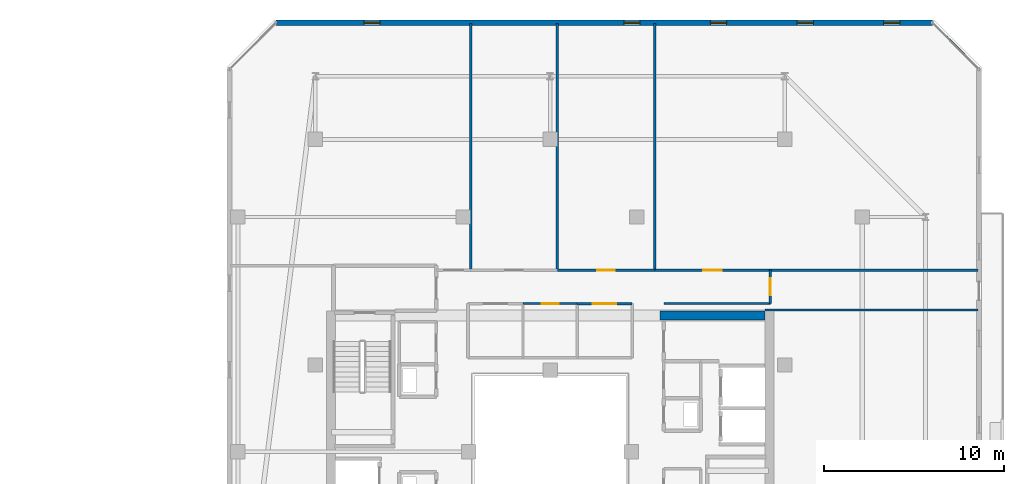
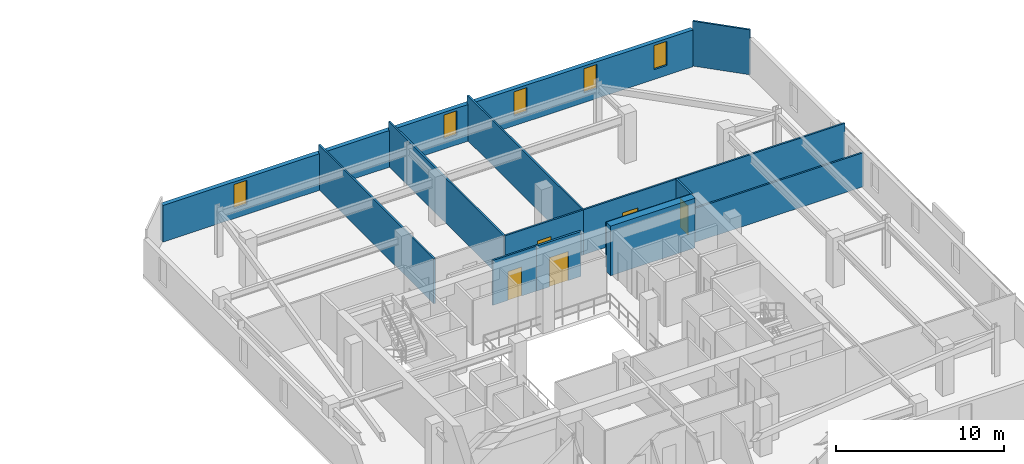
# One storey, part 28 of 35: 14 walls, 5 doors, 5 windows, 10 openings.
"""IFC4 building model written with IfcOpenShell, lengths in metres."""

from ifc_helpers import new_model, si_unit, direction, frame, frame_2d, origin, place, context, subcontext, project, spatial, rectangle, extrude, material, layer, layer_set, type_object, element, fill, save


model = new_model("IFC4")

# Units and contexts
model_context = context("Model", 3, precision=1e-05, world=origin(), true_north=direction((0.0, 1.0)))
body_context = subcontext(model_context, "Body", "Model", "MODEL_VIEW")
ifc_project = project(units=[si_unit("LENGTHUNIT", "METRE"), si_unit("AREAUNIT", "SQUARE_METRE"), si_unit("VOLUMEUNIT", "CUBIC_METRE"), si_unit("PLANEANGLEUNIT", "RADIAN"), si_unit("MASSUNIT", "GRAM", prefix="KILO")], contexts=[model_context])

# Site, building, storey
site_placement = place(None, origin())
site = spatial("IfcSite", under=ifc_project, at=site_placement, CompositionType="ELEMENT")
building_placement = place(site_placement, origin())
building = spatial("IfcBuilding", under=site, at=building_placement, Name="Thornwick Lancets Civic Towers", CompositionType="ELEMENT")
storey_placement = place(building_placement, frame((0.0, 0.0, 276.300048828125)))
storey = spatial("IfcBuildingStorey", under=building, at=storey_placement, Name="L74", CompositionType="ELEMENT", Elevation=276.300048828125)

# Wall
ifc_material_1 = material(Name="Concrete C50/60", Category="concrete")
ifc_layer_1 = layer(ifc_material_1, 0.5, Name="Concrete C50/60")
ifc_layer_set_1 = layer_set([ifc_layer_1], Name="Concrete C50/60")
wall_type_1 = type_object("IfcWallType", Name="WALL_CORE_500", PredefinedType="SHEAR", material=ifc_layer_set_1)
wall_1_placement = place(storey_placement, frame((94.60009765625, 34.550048828125, 0.0), z_axis=(0.0, 0.0, 1.0), x_axis=(1.0, 0.0, 0.0)))
element("IfcWall", 1, at=wall_1_placement, inside=storey, type_object=wall_type_1, Name="L74 Split Core B1 Shear Wall N", PredefinedType="SHEAR", context=body_context, shape_type="SweptSolid", body=[
    extrude(rectangle(XDim=5.7998046875, YDim=0.5, at=frame_2d((2.89990234375, 0.0))), origin(), (0.0, 0.0, 1.0), 3.599853515625),
])

# Wall, openings, windows
ifc_material_2 = material(Name="Insulated russet terracotta rainscreen on concrete C40/50", Category="masonry")
ifc_layer_2 = layer(ifc_material_2, 0.300048828125, Name="Insulated russet terracotta rainscreen on concrete C40/50")
ifc_layer_set_2 = layer_set([ifc_layer_2], Name="Insulated russet terracotta rainscreen on concrete C40/50")
wall_type_2 = type_object("IfcWallType", Name="WALL_EXT_RUSSET_300", PredefinedType="STANDARD", material=ifc_layer_set_2)
wall_2_placement = place(storey_placement, frame((109.681396484375, 50.7646484375, 0.0), z_axis=(0.0, 0.0, 1.0), x_axis=(-1.0, 0.0, 0.0)))
wall_2 = element("IfcWall", 2, at=wall_2_placement, inside=storey, type_object=wall_type_2, Name="L74 Tower B Terracotta Facade Wall E4", PredefinedType="STANDARD", context=body_context, shape_type="SweptSolid", body=[
    extrude(rectangle(XDim=36.36279296875, YDim=0.300048828125, at=frame_2d((18.181396484375, 0.0))), origin(), (0.0, 0.0, 1.0), 2.659912109375),
])
opening_1_placement = place(wall_2_placement, frame((1.800048828125, 0.0, 0.719970703125)))
opening_1 = element("IfcOpeningElement", 3, at=opening_1_placement, cuts=wall_2, Name="Opening WL-01", PredefinedType="OPENING", context=body_context, shape_type="SweptSolid", body=[
    extrude(rectangle(XDim=0.89990234375, YDim=1.75, at=frame_2d((0.449951171875, 0.875))), frame((0.0, 0.16015625, 0.0), z_axis=(0.0, -1.0, 0.0), x_axis=(1.0, 0.0, 0.0)), (0.0, 0.0, 1.0), 0.320068359375),
])
opening_2_placement = place(wall_2_placement, frame((6.60009765625, 0.0, 0.719970703125)))
opening_2 = element("IfcOpeningElement", 4, at=opening_2_placement, cuts=wall_2, Name="Opening WL-01", PredefinedType="OPENING", context=body_context, shape_type="SweptSolid", body=[
    extrude(rectangle(XDim=0.89990234375, YDim=1.75, at=frame_2d((0.449951171875, 0.875))), frame((0.0, 0.16015625, 0.0), z_axis=(0.0, -1.0, 0.0), x_axis=(1.0, 0.0, 0.0)), (0.0, 0.0, 1.0), 0.320068359375),
])
opening_3_placement = place(wall_2_placement, frame((11.39990234375, 0.0, 0.719970703125)))
opening_3 = element("IfcOpeningElement", 5, at=opening_3_placement, cuts=wall_2, Name="Opening WL-01", PredefinedType="OPENING", context=body_context, shape_type="SweptSolid", body=[
    extrude(rectangle(XDim=0.89990234375, YDim=1.75, at=frame_2d((0.449951171875, 0.875))), frame((0.0, 0.16015625, 0.0), z_axis=(0.0, -1.0, 0.0), x_axis=(1.0, 0.0, 0.0)), (0.0, 0.0, 1.0), 0.320068359375),
])
opening_4_placement = place(wall_2_placement, frame((16.199951171875, 0.0, 0.719970703125)))
opening_4 = element("IfcOpeningElement", 6, at=opening_4_placement, cuts=wall_2, Name="Opening WL-01", PredefinedType="OPENING", context=body_context, shape_type="SweptSolid", body=[
    extrude(rectangle(XDim=0.89990234375, YDim=1.75, at=frame_2d((0.449951171875, 0.875))), frame((0.0, 0.16015625, 0.0), z_axis=(0.0, -1.0, 0.0), x_axis=(1.0, 0.0, 0.0)), (0.0, 0.0, 1.0), 0.320068359375),
])
opening_5_placement = place(wall_2_placement, frame((30.60009765625, 0.0, 0.719970703125)))
opening_5 = element("IfcOpeningElement", 7, at=opening_5_placement, cuts=wall_2, Name="Opening WL-01", PredefinedType="OPENING", context=body_context, shape_type="SweptSolid", body=[
    extrude(rectangle(XDim=0.89990234375, YDim=1.75, at=frame_2d((0.449951171875, 0.875))), frame((0.0, 0.16015625, 0.0), z_axis=(0.0, -1.0, 0.0), x_axis=(1.0, 0.0, 0.0)), (0.0, 0.0, 1.0), 0.320068359375),
])
ifc_material_3 = material(Name="Clear low-e double glazing in bronze frame", Category="glass")
window_type = type_object("IfcWindowType", Name="WIN_LANCET_900", PartitioningType="SINGLE_PANEL", PredefinedType="WINDOW", material=ifc_material_3)
window_1_placement = place(opening_1_placement, origin())
window_1 = element("IfcWindow", 8, at=window_1_placement, inside=storey, type_object=window_type, Name="L74 Tower B Staggered Lancet Window E4-1", OverallHeight=1.75, OverallWidth=0.89990234375, PartitioningType="SINGLE_PANEL", PredefinedType="WINDOW", context=body_context, shape_type="SweptSolid", body=[
    extrude(rectangle(XDim=0.89990234375, YDim=1.75, at=frame_2d((0.449951171875, 0.875))), frame((0.0, 0.030029296875, 0.0), z_axis=(0.0, -1.0, 0.0), x_axis=(1.0, 0.0, 0.0)), (0.0, 0.0, 1.0), 0.06005859375),
])
fill(opening_1, window_1)
window_2_placement = place(opening_2_placement, origin())
window_2 = element("IfcWindow", 9, at=window_2_placement, inside=storey, type_object=window_type, Name="L74 Tower B Staggered Lancet Window E4-2", OverallHeight=1.75, OverallWidth=0.89990234375, PartitioningType="SINGLE_PANEL", PredefinedType="WINDOW", context=body_context, shape_type="SweptSolid", body=[
    extrude(rectangle(XDim=0.89990234375, YDim=1.75, at=frame_2d((0.449951171875, 0.875))), frame((0.0, 0.030029296875, 0.0), z_axis=(0.0, -1.0, 0.0), x_axis=(1.0, 0.0, 0.0)), (0.0, 0.0, 1.0), 0.06005859375),
])
fill(opening_2, window_2)
window_3_placement = place(opening_3_placement, origin())
window_3 = element("IfcWindow", 10, at=window_3_placement, inside=storey, type_object=window_type, Name="L74 Tower B Staggered Lancet Window E4-3", OverallHeight=1.75, OverallWidth=0.89990234375, PartitioningType="SINGLE_PANEL", PredefinedType="WINDOW", context=body_context, shape_type="SweptSolid", body=[
    extrude(rectangle(XDim=0.89990234375, YDim=1.75, at=frame_2d((0.449951171875, 0.875))), frame((0.0, 0.030029296875, 0.0), z_axis=(0.0, -1.0, 0.0), x_axis=(1.0, 0.0, 0.0)), (0.0, 0.0, 1.0), 0.06005859375),
])
fill(opening_3, window_3)
window_4_placement = place(opening_4_placement, origin())
window_4 = element("IfcWindow", 11, at=window_4_placement, inside=storey, type_object=window_type, Name="L74 Tower B Staggered Lancet Window E4-4", OverallHeight=1.75, OverallWidth=0.89990234375, PartitioningType="SINGLE_PANEL", PredefinedType="WINDOW", context=body_context, shape_type="SweptSolid", body=[
    extrude(rectangle(XDim=0.89990234375, YDim=1.75, at=frame_2d((0.449951171875, 0.875))), frame((0.0, 0.030029296875, 0.0), z_axis=(0.0, -1.0, 0.0), x_axis=(1.0, 0.0, 0.0)), (0.0, 0.0, 1.0), 0.06005859375),
])
fill(opening_4, window_4)
window_5_placement = place(opening_5_placement, origin())
window_5 = element("IfcWindow", 12, at=window_5_placement, inside=storey, type_object=window_type, Name="L74 Tower B Staggered Lancet Window E4-5", OverallHeight=1.75, OverallWidth=0.89990234375, PartitioningType="SINGLE_PANEL", PredefinedType="WINDOW", context=body_context, shape_type="SweptSolid", body=[
    extrude(rectangle(XDim=0.89990234375, YDim=1.75, at=frame_2d((0.449951171875, 0.875))), frame((0.0, 0.030029296875, 0.0), z_axis=(0.0, -1.0, 0.0), x_axis=(1.0, 0.0, 0.0)), (0.0, 0.0, 1.0), 0.06005859375),
])
fill(opening_5, window_5)

# Wall
ifc_material_4 = material(Name="Acoustic gypsum board partition")
ifc_layer_3 = layer(ifc_material_4, 0.1201171875, Name="Acoustic gypsum board partition")
ifc_layer_set_3 = layer_set([ifc_layer_3], Name="Acoustic gypsum board partition")
wall_type_3 = type_object("IfcWallType", Name="WALL_PART_120", PredefinedType="PARTITIONING", material=ifc_layer_set_3)
wall_3_placement = place(storey_placement, frame((94.800048828125, 35.199951171875, 0.0), z_axis=(0.0, 0.0, 1.0), x_axis=(1.0, 0.0, 0.0)))
element("IfcWall", 13, at=wall_3_placement, inside=storey, type_object=wall_type_3, Name="L74 Partition L74-B-RECLAIM-L E2", PredefinedType="PARTITIONING", context=body_context, shape_type="SweptSolid", body=[
    extrude(rectangle(XDim=5.89990234375, YDim=0.1201171875, at=frame_2d((2.949951171875, 0.0))), origin(), (0.0, 0.0, 1.0), 3.260009765625),
])

# Wall, opening, door
wall_4_placement = place(storey_placement, frame((100.699951171875, 35.199951171875, 0.0), z_axis=(0.0, 0.0, 1.0), x_axis=(0.0, 1.0, 0.0)))
wall_4 = element("IfcWall", 14, at=wall_4_placement, inside=storey, type_object=wall_type_3, Name="L74 Partition L74-B-RECLAIM-L E3", PredefinedType="PARTITIONING", context=body_context, shape_type="SweptSolid", body=[
    extrude(rectangle(XDim=1.85009765625, YDim=0.1201171875, at=frame_2d((0.925048828125, 0.0))), origin(), (0.0, 0.0, 1.0), 3.260009765625),
])
opening_6_placement = place(wall_4_placement, frame((0.449951171875, 0.0, 0.0)))
opening_6 = element("IfcOpeningElement", 15, at=opening_6_placement, cuts=wall_4, Name="Opening D-L74-3425", PredefinedType="OPENING", context=body_context, shape_type="SweptSolid", body=[
    extrude(rectangle(XDim=0.949951171875, YDim=2.10009765625, at=frame_2d((0.47509765625, 1.050048828125))), frame((0.0, 0.070068359375, 0.0), z_axis=(0.0, -1.0, 0.0), x_axis=(1.0, 0.0, 0.0)), (0.0, 0.0, 1.0), 0.14013671875),
])
ifc_material_5 = material(Name="European oak acoustic doorset")
door_type_1 = type_object("IfcDoorType", Name="DOOR_OFFICE_950", OperationType="NOTDEFINED", PredefinedType="DOOR", material=ifc_material_5)
door_1_placement = place(opening_6_placement, origin())
door_1 = element("IfcDoor", 16, at=door_1_placement, inside=storey, type_object=door_type_1, Name="L74 Tower B Parliamentary Drafting Library Door", OperationType="SINGLE_SWING_RIGHT", OverallHeight=2.10009765625, OverallWidth=0.949951171875, PredefinedType="DOOR", context=body_context, shape_type="SweptSolid", body=[
    extrude(rectangle(XDim=0.949951171875, YDim=2.10009765625, at=frame_2d((0.47509765625, 1.050048828125))), frame((0.0, 0.02490234375, 0.0), z_axis=(0.0, -1.0, 0.0), x_axis=(1.0, 0.0, 0.0)), (0.0, 0.0, 1.0), 0.050048828125),
])
fill(opening_6, door_1)

# Walls
wall_5_placement = place(storey_placement, frame((100.699951171875, 37.050048828125, 0.0), z_axis=(0.0, 0.0, 1.0), x_axis=(1.0, 0.0, 0.0)))
element("IfcWall", 17, at=wall_5_placement, inside=storey, type_object=wall_type_3, Name="L74 Partition L74-B-RECLAIM-L E4", PredefinedType="PARTITIONING", context=body_context, shape_type="SweptSolid", body=[
    extrude(rectangle(XDim=11.52001953125, YDim=0.1201171875, at=frame_2d((5.760009765625, 0.0))), origin(), (0.0, 0.0, 1.0), 3.260009765625),
])
wall_6_placement = place(storey_placement, frame((112.219970703125, 34.85009765625, 0.0), z_axis=(0.0, 0.0, 1.0), x_axis=(-1.0, 0.0, 0.0)))
element("IfcWall", 18, at=wall_6_placement, inside=storey, type_object=wall_type_3, Name="L74 Partition L74-B-RECLAIM-L E6", PredefinedType="PARTITIONING", context=body_context, shape_type="SweptSolid", body=[
    extrude(rectangle(XDim=11.820068359375, YDim=0.1201171875, at=frame_2d((5.91015625, 0.0))), origin(), (0.0, 0.0, 1.0), 2.46484375),
])

# Wall, opening, door
wall_7_placement = place(storey_placement, frame((100.699951171875, 37.050048828125, 0.0), z_axis=(0.0, 0.0, 1.0), x_axis=(-1.0, 0.0, 0.0)))
wall_7 = element("IfcWall", 19, at=wall_7_placement, inside=storey, type_object=wall_type_3, Name="L74 Partition L74-B-E1 E1", PredefinedType="PARTITIONING", context=body_context, shape_type="SweptSolid", body=[
    extrude(rectangle(XDim=6.39990234375, YDim=0.1201171875, at=frame_2d((3.199951171875, 0.0))), origin(), (0.0, 0.0, 1.0), 3.260009765625),
])
opening_7_placement = place(wall_7_placement, frame((2.675048828125, 0.0, 0.0)))
opening_7 = element("IfcOpeningElement", 20, at=opening_7_placement, cuts=wall_7, Name="Opening D-L74-3434", PredefinedType="OPENING", context=body_context, shape_type="SweptSolid", body=[
    extrude(rectangle(XDim=1.050048828125, YDim=2.10009765625, at=frame_2d((0.52490234375, 1.050048828125))), frame((0.0, 0.070068359375, 0.0), z_axis=(0.0, -1.0, 0.0), x_axis=(1.0, 0.0, 0.0)), (0.0, 0.0, 1.0), 0.14013671875),
])
ifc_material_6 = material(Name="Glazed European oak executive doorset")
door_type_2 = type_object("IfcDoorType", Name="DOOR_OFFICE_1050", OperationType="NOTDEFINED", PredefinedType="DOOR", material=ifc_material_6)
door_2_placement = place(opening_7_placement, origin())
door_2 = element("IfcDoor", 21, at=door_2_placement, inside=storey, type_object=door_type_2, Name="L74 Tower B Secretariat Open Office E1 Door", OperationType="SINGLE_SWING_LEFT", OverallHeight=2.10009765625, OverallWidth=1.050048828125, PredefinedType="DOOR", context=body_context, shape_type="SweptSolid", body=[
    extrude(rectangle(XDim=1.050048828125, YDim=2.10009765625, at=frame_2d((0.52490234375, 1.050048828125))), frame((0.0, 0.02490234375, 0.0), z_axis=(0.0, -1.0, 0.0), x_axis=(1.0, 0.0, 0.0)), (0.0, 0.0, 1.0), 0.050048828125),
])
fill(opening_7, door_2)

# Walls
wall_8_placement = place(storey_placement, frame((94.300048828125, 37.050048828125, 0.0), z_axis=(0.0, 0.0, 1.0), x_axis=(0.0, 1.0, 0.0)))
element("IfcWall", 22, at=wall_8_placement, inside=storey, type_object=wall_type_3, Name="L74 Partition L74-B-E1 E2", PredefinedType="PARTITIONING", context=body_context, shape_type="SweptSolid", body=[
    extrude(rectangle(XDim=13.669921875, YDim=0.1201171875, at=frame_2d((6.8349609375, 0.0))), origin(), (0.0, 0.0, 1.0), 3.260009765625),
])
wall_9_placement = place(storey_placement, frame((109.725341796875, 50.719970703125, 0.0), z_axis=(0.0, 0.0, 1.0), x_axis=(0.707106781187, -0.707106781187, 0.0)))
element("IfcWall", 23, at=wall_9_placement, inside=storey, type_object=wall_type_3, Name="L74 Partition L74-B-E1 E4", PredefinedType="PARTITIONING", context=body_context, shape_type="SweptSolid", body=[
    extrude(rectangle(XDim=3.52783203125, YDim=0.1201171875, at=frame_2d((1.763916015625, 0.0))), origin(), (0.0, 0.0, 1.0), 3.260009765625),
])
wall_10_placement = place(storey_placement, frame((88.89990234375, 37.050048828125, 0.0), z_axis=(0.0, 0.0, 1.0), x_axis=(0.0, 1.0, 0.0)))
element("IfcWall", 24, at=wall_10_placement, inside=storey, type_object=wall_type_3, Name="L74 Partition L74-B-E2 E1", PredefinedType="PARTITIONING", context=body_context, shape_type="SweptSolid", body=[
    extrude(rectangle(XDim=13.669921875, YDim=0.1201171875, at=frame_2d((6.8349609375, 0.0))), origin(), (0.0, 0.0, 1.0), 3.260009765625),
])

# Wall, opening, door
wall_11_placement = place(storey_placement, frame((94.300048828125, 37.050048828125, 0.0), z_axis=(0.0, 0.0, 1.0), x_axis=(-1.0, 0.0, 0.0)))
wall_11 = element("IfcWall", 25, at=wall_11_placement, inside=storey, type_object=wall_type_3, Name="L74 Partition L74-B-E2 E4", PredefinedType="PARTITIONING", context=body_context, shape_type="SweptSolid", body=[
    extrude(rectangle(XDim=5.400146484375, YDim=0.1201171875, at=frame_2d((2.7001953125, 0.0))), origin(), (0.0, 0.0, 1.0), 3.260009765625),
])
opening_8_placement = place(wall_11_placement, frame((2.22509765625, 0.0, 0.0)))
opening_8 = element("IfcOpeningElement", 26, at=opening_8_placement, cuts=wall_11, Name="Opening D-L74-3435", PredefinedType="OPENING", context=body_context, shape_type="SweptSolid", body=[
    extrude(rectangle(XDim=0.949951171875, YDim=2.10009765625, at=frame_2d((0.47509765625, 1.050048828125))), frame((0.0, 0.070068359375, 0.0), z_axis=(0.0, -1.0, 0.0), x_axis=(1.0, 0.0, 0.0)), (0.0, 0.0, 1.0), 0.14013671875),
])
door_3_placement = place(opening_8_placement, origin())
door_3 = element("IfcDoor", 27, at=door_3_placement, inside=storey, type_object=door_type_1, Name="L74 Tower B Visitors Reception and Waiting Door", OperationType="SINGLE_SWING_RIGHT", OverallHeight=2.10009765625, OverallWidth=0.949951171875, PredefinedType="DOOR", context=body_context, shape_type="SweptSolid", body=[
    extrude(rectangle(XDim=0.949951171875, YDim=2.10009765625, at=frame_2d((0.47509765625, 1.050048828125))), frame((0.0, 0.02490234375, 0.0), z_axis=(0.0, -1.0, 0.0), x_axis=(1.0, 0.0, 0.0)), (0.0, 0.0, 1.0), 0.050048828125),
])
fill(opening_8, door_3)

# Wall
wall_12_placement = place(storey_placement, frame((84.10009765625, 37.050048828125, 0.0), z_axis=(0.0, 0.0, 1.0), x_axis=(0.0, 1.0, 0.0)))
element("IfcWall", 28, at=wall_12_placement, inside=storey, type_object=wall_type_3, Name="L74 Partition L74-B-E3 E1", PredefinedType="PARTITIONING", context=body_context, shape_type="SweptSolid", body=[
    extrude(rectangle(XDim=13.669921875, YDim=0.1201171875, at=frame_2d((6.8349609375, 0.0))), origin(), (0.0, 0.0, 1.0), 3.260009765625),
])

# Wall, opening, door
wall_13_placement = place(storey_placement, frame((87.0, 35.199951171875, 0.0), z_axis=(0.0, 0.0, 1.0), x_axis=(1.0, 0.0, 0.0)))
wall_13 = element("IfcWall", 29, at=wall_13_placement, inside=storey, type_object=wall_type_3, Name="L74 Partition L74-B-E-ATR-2 E2", PredefinedType="PARTITIONING", context=body_context, shape_type="SweptSolid", body=[
    extrude(rectangle(XDim=3.0, YDim=0.1201171875, at=frame_2d((1.5, 0.0))), origin(), (0.0, 0.0, 1.0), 3.260009765625),
])
opening_9_placement = place(wall_13_placement, frame((1.02490234375, 0.0, 0.0)))
opening_9 = element("IfcOpeningElement", 30, at=opening_9_placement, cuts=wall_13, Name="Opening D-L74-3439", PredefinedType="OPENING", context=body_context, shape_type="SweptSolid", body=[
    extrude(rectangle(XDim=0.949951171875, YDim=2.10009765625, at=frame_2d((0.47509765625, 1.050048828125))), frame((0.0, 0.070068359375, 0.0), z_axis=(0.0, -1.0, 0.0), x_axis=(1.0, 0.0, 0.0)), (0.0, 0.0, 1.0), 0.14013671875),
])
door_4_placement = place(opening_9_placement, origin())
door_4 = element("IfcDoor", 31, at=door_4_placement, inside=storey, type_object=door_type_1, Name="L74 Tower B Atrium Research Suite Door", OperationType="SINGLE_SWING_RIGHT", OverallHeight=2.10009765625, OverallWidth=0.949951171875, PredefinedType="DOOR", context=body_context, shape_type="SweptSolid", body=[
    extrude(rectangle(XDim=0.949951171875, YDim=2.10009765625, at=frame_2d((0.47509765625, 1.050048828125))), frame((0.0, 0.02490234375, 0.0), z_axis=(0.0, -1.0, 0.0), x_axis=(1.0, 0.0, 0.0)), (0.0, 0.0, 1.0), 0.050048828125),
])
fill(opening_9, door_4)

ifc_material_7 = material(Name="Twin-stud acoustic gypsum board")
ifc_layer_4 = layer(ifc_material_7, 0.14990234375, Name="Twin-stud acoustic gypsum board")
ifc_layer_set_4 = layer_set([ifc_layer_4], Name="Twin-stud acoustic gypsum board")
wall_type_4 = type_object("IfcWallType", Name="WALL_PART_150", PredefinedType="PARTITIONING", material=ifc_layer_set_4)
wall_14_placement = place(storey_placement, frame((90.0, 35.199951171875, 0.0), z_axis=(0.0, 0.0, 1.0), x_axis=(1.0, 0.0, 0.0)))
wall_14 = element("IfcWall", 32, at=wall_14_placement, inside=storey, type_object=wall_type_4, Name="L74 Partition L74-B-E-ATR-1 E2", PredefinedType="PARTITIONING", context=body_context, shape_type="SweptSolid", body=[
    extrude(rectangle(XDim=3.050048828125, YDim=0.14990234375, at=frame_2d((1.52490234375, 0.0))), origin(), (0.0, 0.0, 1.0), 3.260009765625),
])
opening_10_placement = place(wall_14_placement, frame((0.875, 0.0, 0.0)))
opening_10 = element("IfcOpeningElement", 33, at=opening_10_placement, cuts=wall_14, Name="Opening D-L74-3438", PredefinedType="OPENING", context=body_context, shape_type="SweptSolid", body=[
    extrude(rectangle(XDim=1.300048828125, YDim=2.1201171875, at=frame_2d((0.64990234375, 1.06005859375))), frame((0.0, 0.0849609375, 0.0), z_axis=(0.0, -1.0, 0.0), x_axis=(1.0, 0.0, 0.0)), (0.0, 0.0, 1.0), 0.169921875),
])
ifc_material_8 = material(Name="Acoustic oak leaf-and-a-half doorset")
door_type_3 = type_object("IfcDoorType", Name="DOOR_MEET_1300", OperationType="DOUBLE_DOOR_SINGLE_SWING", PredefinedType="DOOR", material=ifc_material_8)
door_5_placement = place(opening_10_placement, origin())
door_5 = element("IfcDoor", 34, at=door_5_placement, inside=storey, type_object=door_type_3, Name="L74 Tower B Atrium Briefing Room Door", OperationType="DOUBLE_DOOR_SINGLE_SWING", OverallHeight=2.1201171875, OverallWidth=1.300048828125, PredefinedType="DOOR", context=body_context, shape_type="SweptSolid", body=[
    extrude(rectangle(XDim=1.300048828125, YDim=2.1201171875, at=frame_2d((0.64990234375, 1.06005859375))), frame((0.0, 0.02490234375, 0.0), z_axis=(0.0, -1.0, 0.0), x_axis=(1.0, 0.0, 0.0)), (0.0, 0.0, 1.0), 0.050048828125),
])
fill(opening_10, door_5)

save(model, "model.ifc")
